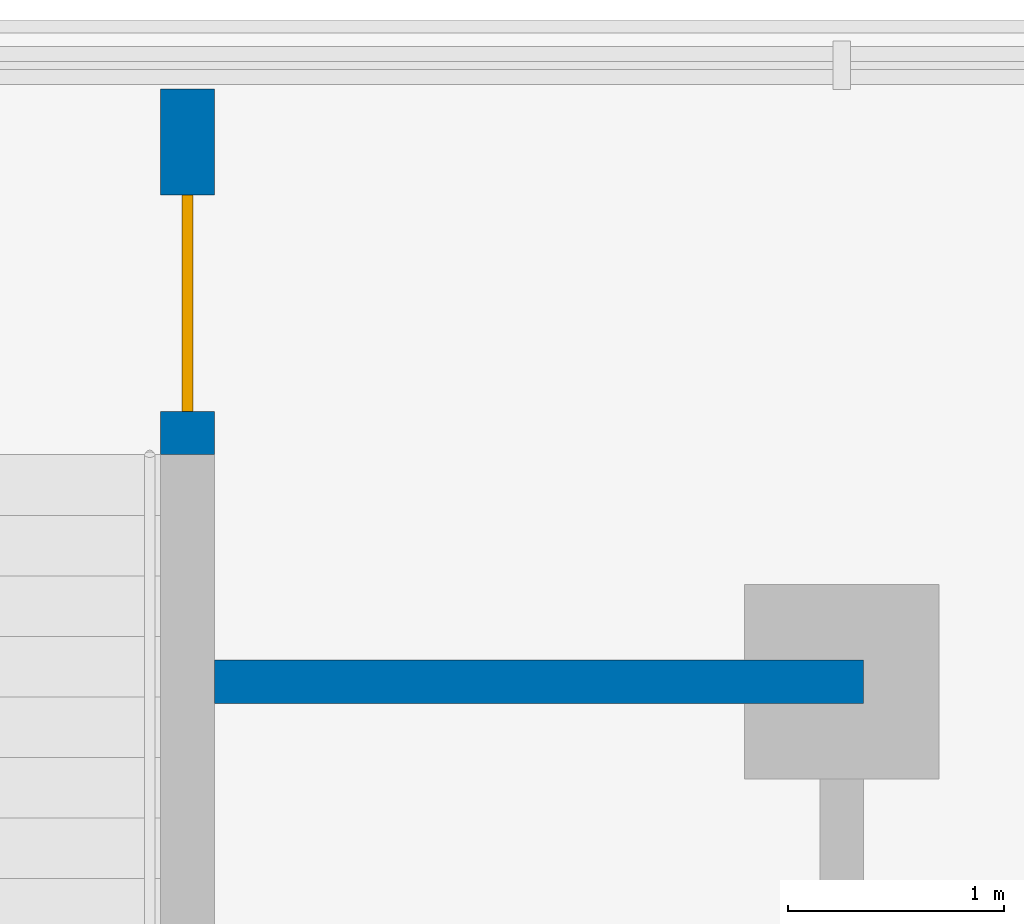
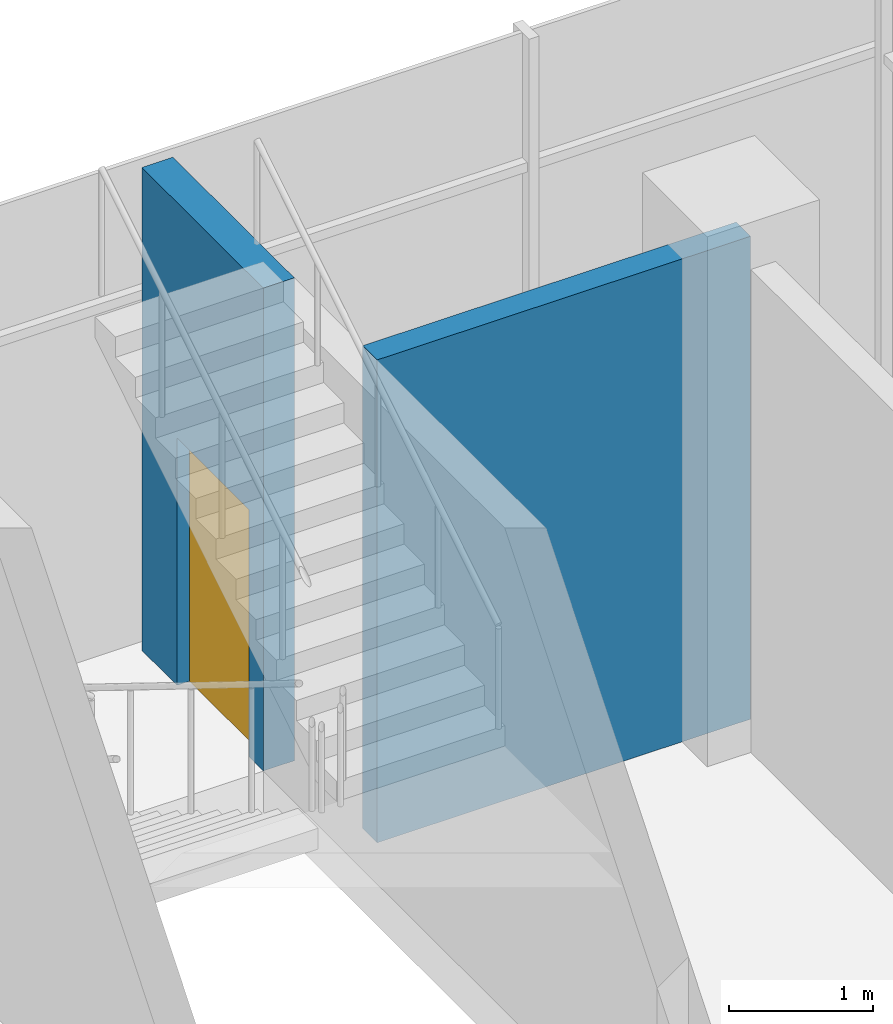
# One storey, part 19 of 22: 2 walls, 1 door, 1 opening.
"""IFC4 building model written with IfcOpenShell, lengths in metres."""

import ifcopenshell
import ifcopenshell.guid

model = None  # the IFC model being written
_history = None  # IfcOwnerHistory: only IFC2X3 demands one
_inside = {}  # id of a spatial element -> (the spatial element, [elements in it])
_under = {}  # id of a project, library or spatial element -> (it, [spatial elements below it])
_declared = {}  # id of a project -> (the project, [libraries it declares])
_typed = {}  # id of a type object -> (the type object, [elements of that type])
_made_of = {}  # id of a material, layer set ... -> (it, [elements and type objects made of it])


def new_model(schema):
    """Start an empty IFC model of exactly this schema.

    Asked for "IFC4X3", IfcOpenShell would pick the latest addendum, in which some entities
    have other attributes; the version numbers below select the first issue.
    IFC2X3 requires an IfcOwnerHistory on every rooted entity: one is made here for all.
    """
    global model, _history
    if schema == "IFC4X3":
        model = ifcopenshell.file(schema_version=(4, 3, 0, 0))
    else:
        model = ifcopenshell.file(schema=schema)
    _inside.clear()
    _under.clear()
    _declared.clear()
    _typed.clear()
    _made_of.clear()
    _history = None
    if model.schema == "IFC2X3":
        org = make("IfcOrganization", Name="unknown")
        user = make(
            "IfcPersonAndOrganization",
            ThePerson=make("IfcPerson", FamilyName="unknown"),
            TheOrganization=org,
        )
        app = make(
            "IfcApplication",
            ApplicationDeveloper=org,
            Version="unknown",
            ApplicationFullName="unknown",
            ApplicationIdentifier="unknown",
        )
        _history = make(
            "IfcOwnerHistory",
            OwningUser=user,
            OwningApplication=app,
            ChangeAction="ADDED",
            CreationDate=0,
        )
    return model


def make(cls, **values):
    """One entity of the class cls with the attributes given. An attribute that is None is left unset."""
    return model.create_entity(
        cls, **{name: value for name, value in values.items() if value is not None}
    )


def rooted(cls, **values):
    """An entity with a GlobalId (a new one), such as an element, a storey or a relation."""
    return make(cls, GlobalId=ifcopenshell.guid.new(), OwnerHistory=_history, **values)


def si_unit(unit_type, name, prefix=None):
    """IfcSIUnit, for example si_unit("LENGTHUNIT", "METRE", prefix="MILLI")."""
    return make("IfcSIUnit", UnitType=unit_type, Prefix=prefix, Name=name)


def assignment(units):
    """IfcUnitAssignment: the units of a project."""
    return None if units is None else make("IfcUnitAssignment", Units=units)


def point(xyz):
    """IfcCartesianPoint."""
    return None if xyz is None else make("IfcCartesianPoint", Coordinates=xyz)


def direction(xyz):
    """IfcDirection."""
    return None if xyz is None else make("IfcDirection", DirectionRatios=xyz)


def frame(location, z_axis=None, x_axis=None):
    """IfcAxis2Placement3D, a coordinate frame: its origin and axes. An axis left out is left unset."""
    return make(
        "IfcAxis2Placement3D",
        Location=point(location),
        Axis=direction(z_axis),
        RefDirection=direction(x_axis),
    )


def frame_2d(location, x_axis=None):
    """IfcAxis2Placement2D, a coordinate frame in the plane: its origin and x axis."""
    return make(
        "IfcAxis2Placement2D", Location=point(location), RefDirection=direction(x_axis)
    )


def origin():
    """The frame at (0, 0, 0) with its axes left unset."""
    return frame((0.0, 0.0, 0.0))


def place(relative_to, where):
    """IfcLocalPlacement: puts the frame where relative to a parent placement (None: the world)."""
    return make(
        "IfcLocalPlacement", PlacementRelTo=relative_to, RelativePlacement=where
    )


def context(
    kind, dimensions, precision=None, world=None, true_north=None, identifier=None
):
    """IfcGeometricRepresentationContext, for example the 3D "Model" context."""
    return make(
        "IfcGeometricRepresentationContext",
        ContextIdentifier=identifier,
        ContextType=kind,
        CoordinateSpaceDimension=dimensions,
        Precision=precision,
        WorldCoordinateSystem=world,
        TrueNorth=true_north,
    )


def subcontext(parent, identifier, kind, view, scale=None):
    """IfcGeometricRepresentationSubContext, for example "Body" below "Model"."""
    return make(
        "IfcGeometricRepresentationSubContext",
        ContextIdentifier=identifier,
        ContextType=kind,
        ParentContext=parent,
        TargetScale=scale,
        TargetView=view,
    )


def project(units=None, contexts=None):
    """IfcProject with its units and contexts."""
    return rooted(
        "IfcProject",
        Name="project",
        RepresentationContexts=contexts,
        UnitsInContext=assignment(units),
    )


def spatial(cls, under=None, at=None, **own):
    """A site, building, storey or space (cls), placed at a placement, below another one or the project."""
    s = rooted(cls, ObjectPlacement=at, **own)
    if under is not None:
        _under.setdefault(under.id(), (under, []))[1].append(s)
    return s


def profile(cls, at=None, kind="AREA", **sizes):
    """A parametric profile (cls). Its sizes go by their IFC names, for example OverallWidth=200.0."""
    return make(cls, ProfileType=kind, Position=at, **sizes)


def rectangle(**sizes):
    """IfcRectangleProfileDef."""
    return profile("IfcRectangleProfileDef", **sizes)


def extrude(swept, where, along, depth):
    """IfcExtrudedAreaSolid: the profile swept, set in the frame where, extruded along a direction by depth."""
    return make(
        "IfcExtrudedAreaSolid",
        SweptArea=swept,
        Position=where,
        ExtrudedDirection=direction(along),
        Depth=depth,
    )


def shape(context_of_items, identifier, shape_type, items):
    """IfcShapeRepresentation: the items that make up one representation, for example the "Body"."""
    return make(
        "IfcShapeRepresentation",
        ContextOfItems=context_of_items,
        RepresentationIdentifier=identifier,
        RepresentationType=shape_type,
        Items=items,
    )


def material(Name=None, Category=None):
    """IfcMaterial."""
    return make("IfcMaterial", Name=Name, Category=Category)


def layer(
    of_material, thickness, ventilated=None, Name=None, Category=None, Priority=None
):
    """IfcMaterialLayer: one layer of a wall or slab, of a material (None: an air gap)."""
    return make(
        "IfcMaterialLayer",
        Material=of_material,
        LayerThickness=thickness,
        IsVentilated=ventilated,
        Name=Name,
        Category=Category,
        Priority=Priority,
    )


def layer_set(layers, Name=None):
    """IfcMaterialLayerSet."""
    return make("IfcMaterialLayerSet", MaterialLayers=layers, LayerSetName=Name)


def made_of(thing, what):
    """Note that an element or type object is made of a material, layer set ...; save() writes the relation."""
    if what is not None:
        _made_of.setdefault(what.id(), (what, []))[1].append(thing)
    return thing


def type_object(cls, material=None, **own):
    """A type object (cls), such as IfcWallType, which elements share."""
    return made_of(rooted(cls, **own), material)


def element(
    cls,
    number,
    at=None,
    inside=None,
    cuts=None,
    type_object=None,
    material=None,
    context=None,
    identifier="Body",
    shape_type=None,
    held_by="IfcProductDefinitionShape",
    body=None,
    shapes=None,
    **own,
):
    """One element of the class cls, such as IfcWall. Its Tag is "e" and its number.

    at: its placement. inside: the storey or other place that contains it. cuts: it is an
    opening in that element (IfcRelVoidsElement). A single representation is given by context,
    identifier, shape_type and body (its items); several are given by shapes. held_by: the class
    of the entity that holds the representations. save() writes the other relations.
    """
    e = rooted(cls, Tag="e%d" % number, ObjectPlacement=at, **own)
    if body is not None:
        shapes = [shape(context, identifier, shape_type, body)]
    if shapes is not None:
        e.Representation = make(held_by, Representations=shapes)
    if inside is not None:
        _inside.setdefault(inside.id(), (inside, []))[1].append(e)
    if cuts is not None:
        rooted(
            "IfcRelVoidsElement", RelatingBuildingElement=cuts, RelatedOpeningElement=e
        )
    if type_object is not None:
        _typed.setdefault(type_object.id(), (type_object, []))[1].append(e)
    return made_of(e, material)


def fill(opening, filler):
    """IfcRelFillsElement: the door or window that sits in an opening."""
    return rooted(
        "IfcRelFillsElement",
        RelatingOpeningElement=opening,
        RelatedBuildingElement=filler,
    )


def aggregate(whole, parts):
    """IfcRelAggregates: a whole, such as a stair, and the parts it consists of."""
    return rooted("IfcRelAggregates", RelatingObject=whole, RelatedObjects=parts)


def save(model, path):
    """Write the relations noted so far, then the file.

    IfcRelAggregates (storeys below a building ...), IfcRelContainedInSpatialStructure (elements
    in a storey), IfcRelDefinesByType, IfcRelAssociatesMaterial and IfcRelDeclares: one each for
    every whole, place, type object, material and project.
    """
    for whole, parts in _under.values():
        aggregate(whole, parts)
    for where, things in _inside.values():
        rooted(
            "IfcRelContainedInSpatialStructure",
            RelatedElements=things,
            RelatingStructure=where,
        )
    for kind, things in _typed.values():
        rooted("IfcRelDefinesByType", RelatedObjects=things, RelatingType=kind)
    for what, things in _made_of.values():
        rooted("IfcRelAssociatesMaterial", RelatedObjects=things, RelatingMaterial=what)
    for by, libraries in _declared.values():
        rooted("IfcRelDeclares", RelatingContext=by, RelatedDefinitions=libraries)
    model.write(path)


model = new_model("IFC4")

# Units and contexts
model_context = context("Model", 3, precision=1e-05, world=origin(), true_north=direction((0.0, 1.0)))
body_context = subcontext(model_context, "Body", "Model", "MODEL_VIEW")
ifc_project = project(units=[si_unit("LENGTHUNIT", "METRE"), si_unit("AREAUNIT", "SQUARE_METRE"), si_unit("VOLUMEUNIT", "CUBIC_METRE"), si_unit("PLANEANGLEUNIT", "RADIAN"), si_unit("MASSUNIT", "GRAM", prefix="KILO")], contexts=[model_context])

# Site, building, storey
site_placement = place(None, origin())
site = spatial("IfcSite", under=ifc_project, at=site_placement, CompositionType="ELEMENT")
building_placement = place(site_placement, origin())
building = spatial("IfcBuilding", under=site, at=building_placement, Name="Finial Court Residences", CompositionType="ELEMENT")
storey_placement = place(building_placement, frame((0.0, 0.0, 28.0)))
storey = spatial("IfcBuildingStorey", under=building, at=storey_placement, Name="L05", CompositionType="ELEMENT", Elevation=28.0)

# Wall
ifc_material_1 = material(Name="Gypsum board")
ifc_layer_1 = layer(ifc_material_1, 0.02490234375)
ifc_material_2 = material(Name="Acoustic mineral wool in double frame")
ifc_layer_2 = layer(ifc_material_2, 0.14990234375)
ifc_layer_3 = layer(ifc_material_1, 0.02490234375)
ifc_layer_set_1 = layer_set([ifc_layer_1, ifc_layer_2, ifc_layer_3], Name="Corridor wall 200, 1 hour")
wall_type_1 = type_object("IfcWallType", Name="Corridor wall 200, 1 hour", PredefinedType="PARTITIONING", material=ifc_layer_set_1)
wall_1_placement = place(storey_placement, frame((55.60009765625, 31.5, 0.0), z_axis=(0.0, 0.0, 1.0), x_axis=(1.0, 0.0, 0.0)))
element("IfcWall", 1, at=wall_1_placement, inside=storey, type_object=wall_type_1, Name="Partition L05-038", PredefinedType="PARTITIONING", context=body_context, shape_type="SweptSolid", body=[
    extrude(rectangle(XDim=3.0, YDim=0.199951171875, at=frame_2d((1.5, 0.0))), origin(), (0.0, 0.0, 1.0), 4.10009765625),
])

# Wall, opening, door
ifc_material_3 = material(Name="Concrete C50/60", Category="concrete")
ifc_layer_4 = layer(ifc_material_3, 0.25)
ifc_layer_set_2 = layer_set([ifc_layer_4], Name="Stair enclosure wall 250 Concrete C50/60")
wall_type_2 = type_object("IfcWallType", Name="Stair enclosure wall 250 Concrete C50/60", PredefinedType="SHEAR", material=ifc_layer_set_2)
wall_2_placement = place(storey_placement, frame((55.47509765625, 32.550048828125, 0.0), z_axis=(0.0, 0.0, 1.0), x_axis=(0.0, 1.0, 0.0)))
wall_2 = element("IfcWall", 2, at=wall_2_placement, inside=storey, type_object=wall_type_2, Name="Exit Stair 5 enclosure wall L05-E1", PredefinedType="SHEAR", context=body_context, shape_type="SweptSolid", body=[
    extrude(rectangle(XDim=1.68994140625, YDim=0.25, at=frame_2d((0.844970703125, 0.0))), origin(), (0.0, 0.0, 1.0), 4.10009765625),
])
opening_placement = place(wall_2_placement, frame((0.199951171875, 0.0, 0.0)))
opening = element("IfcOpeningElement", 3, at=opening_placement, cuts=wall_2, Name="Opening L05-S5E", PredefinedType="OPENING", context=body_context, shape_type="SweptSolid", body=[
    extrude(rectangle(XDim=1.0, YDim=2.10009765625, at=frame_2d((0.5, 1.050048828125))), frame((0.0, 0.135009765625, 0.0), z_axis=(0.0, -1.0, 0.0), x_axis=(1.0, 0.0, 0.0)), (0.0, 0.0, 1.0), 0.27001953125),
])
ifc_material_4 = material(Name="Steel fire door", Category="steel")
door_type = type_object("IfcDoorType", Name="Stair door 1000 x 2100 EI 90", OperationType="NOTDEFINED", PredefinedType="DOOR", material=ifc_material_4)
door_placement = place(opening_placement, origin())
door = element("IfcDoor", 4, at=door_placement, inside=storey, type_object=door_type, Name="Exit Stair 5 east door L05", OperationType="SINGLE_SWING_RIGHT", OverallHeight=2.10009765625, OverallWidth=1.0, PredefinedType="DOOR", context=body_context, shape_type="SweptSolid", body=[
    extrude(rectangle(XDim=1.0, YDim=2.10009765625, at=frame_2d((0.5, 1.050048828125))), frame((0.0, 0.02490234375, 0.0), z_axis=(0.0, -1.0, 0.0), x_axis=(1.0, 0.0, 0.0)), (0.0, 0.0, 1.0), 0.050048828125),
])
fill(opening, door)

save(model, "model.ifc")
